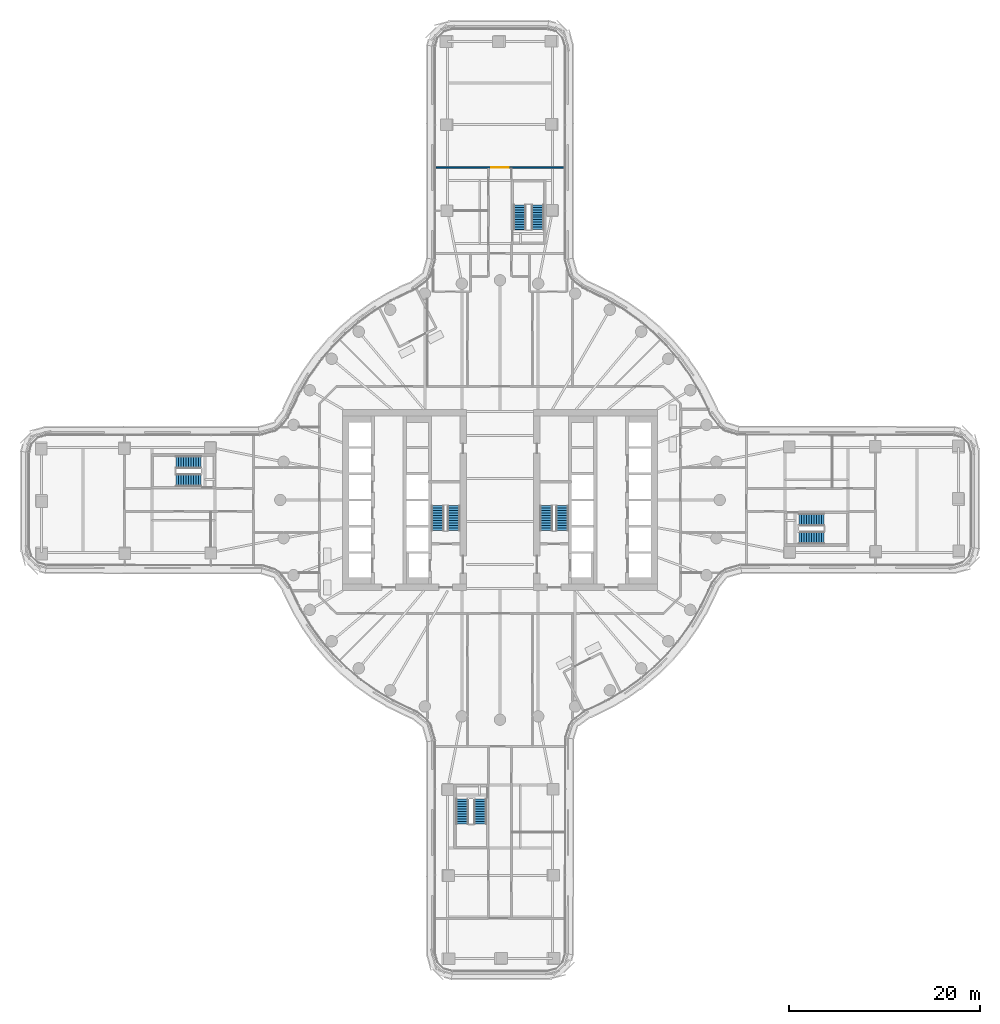
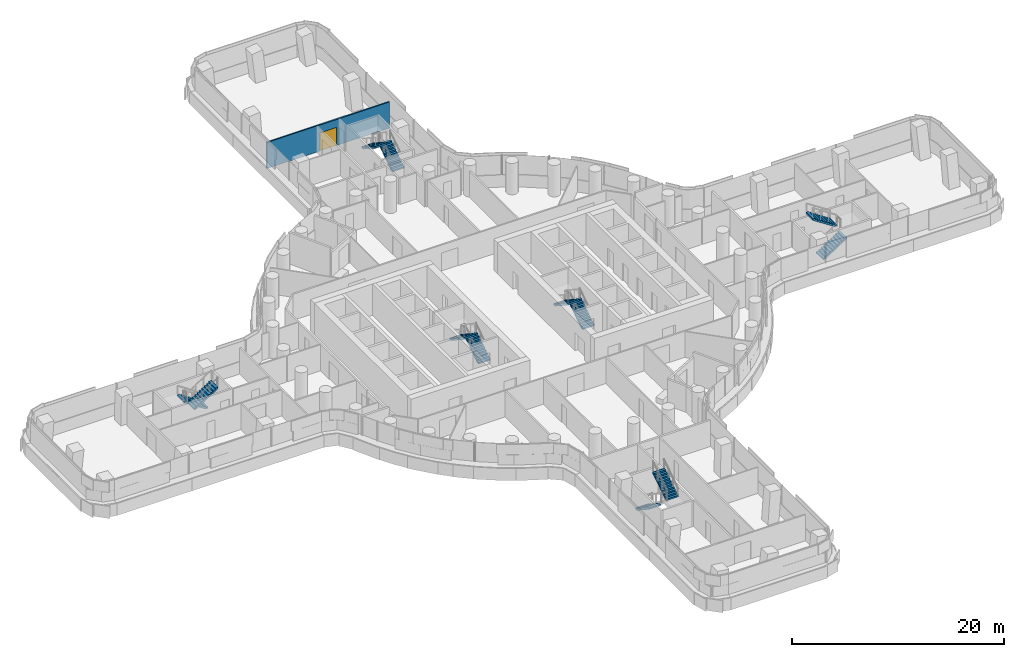
# One storey, part 24 of 32: 12 stair flights, 1 door, 1 wall, 1 opening, 6 elements without a shape of their own.
"""IFC4 building model written with IfcOpenShell, lengths in metres."""

from ifc_helpers import new_model, si_unit, direction, frame, frame_2d, origin, place, context, subcontext, project, spatial, polyline, rectangle, outline, extrude, material, layer, layer_set, type_object, element, fill, aggregate, save


model = new_model("IFC4")

# Units and contexts
model_context = context("Model", 3, precision=1e-05, world=origin(), true_north=direction((0.0, 1.0)))
body_context = subcontext(model_context, "Body", "Model", "MODEL_VIEW")
ifc_project = project(units=[si_unit("LENGTHUNIT", "METRE"), si_unit("AREAUNIT", "SQUARE_METRE"), si_unit("VOLUMEUNIT", "CUBIC_METRE"), si_unit("PLANEANGLEUNIT", "RADIAN"), si_unit("MASSUNIT", "GRAM", prefix="KILO")], contexts=[model_context])

# Site, building, storey
site_placement = place(None, origin())
site = spatial("IfcSite", under=ifc_project, at=site_placement, CompositionType="ELEMENT")
building_placement = place(site_placement, origin())
building = spatial("IfcBuilding", under=site, at=building_placement, Name="Tamarind Cross Interchange Tower", CompositionType="ELEMENT")
storey_placement = place(building_placement, frame((0.0, 0.0, 34.0)))
storey = spatial("IfcBuildingStorey", under=building, at=storey_placement, Name="L06", CompositionType="ELEMENT", Elevation=34.0)

# Wall, opening, door
ifc_material_1 = material(Name="Gypsum board partition on steel studs", Category="steel")
ifc_layer = layer(ifc_material_1, 0.14990234375)
ifc_layer_set = layer_set([ifc_layer], Name="Gypsum board partition on steel studs")
wall_type = type_object("IfcWallType", Name="Partition 150 mm EI 120", PredefinedType="PARTITIONING", material=ifc_layer_set)
wall_placement = place(storey_placement, frame((-6.698974609375, 34.800048828125, 0.0), z_axis=(0.0, 0.0, 1.0), x_axis=(1.0, 0.0, 0.0)))
wall = element("IfcWall", 1, at=wall_placement, inside=storey, type_object=wall_type, Name="Partition L06-036", PredefinedType="PARTITIONING", context=body_context, shape_type="SweptSolid", body=[
    extrude(rectangle(XDim=13.39794921875, YDim=0.14990234375, at=frame_2d((6.698974609375, 0.0))), origin(), (0.0, 0.0, 1.0), 3.010009765625),
])
opening_placement = place(wall_placement, frame((5.799072265625, 0.0, 0.0)))
opening = element("IfcOpeningElement", 2, at=opening_placement, cuts=wall, Name="Opening D18", PredefinedType="OPENING", context=body_context, shape_type="SweptSolid", body=[
    extrude(rectangle(XDim=1.800048828125, YDim=2.10009765625, at=frame_2d((0.89990234375, 1.050048828125))), frame((0.0, 0.0849609375, 0.0), z_axis=(0.0, -1.0, 0.0), x_axis=(1.0, 0.0, 0.0)), (0.0, 0.0, 1.0), 0.169921875),
])
ifc_material_2 = material(Name="Fire-resisting door set")
door_type = type_object("IfcDoorType", Name="Interior door 1800 x 2100 FD60S", OperationType="DOUBLE_DOOR_SINGLE_SWING", PredefinedType="DOOR", material=ifc_material_2)
door_placement = place(opening_placement, origin())
door = element("IfcDoor", 3, at=door_placement, inside=storey, type_object=door_type, Name="Door D18", OperationType="DOUBLE_DOOR_SINGLE_SWING", OverallHeight=2.10009765625, OverallWidth=1.800048828125, PredefinedType="DOOR", context=body_context, shape_type="SweptSolid", body=[
    extrude(rectangle(XDim=1.800048828125, YDim=2.10009765625, at=frame_2d((0.89990234375, 1.050048828125))), frame((0.0, 0.02490234375, 0.0), z_axis=(0.0, -1.0, 0.0), x_axis=(1.0, 0.0, 0.0)), (0.0, 0.0, 1.0), 0.050048828125),
])
fill(opening, door)

# Stair, stair flights
ifc_material_3 = material(Name="Exit stair")
stair_type = type_object("IfcStairType", Name="Exit stair", PredefinedType="HALF_TURN_STAIR", material=ifc_material_3)
stair_1_placement = place(storey_placement, origin())
stair_1 = element("IfcStair", 4, at=stair_1_placement, inside=storey, type_object=stair_type, Name="L06 exit stair ST1", PredefinedType="HALF_TURN_STAIR")
ifc_material_4 = material(Name="Exit stair flight")
stair_flight_type = type_object("IfcStairFlightType", Name="Exit stair flight", PredefinedType="STRAIGHT", material=ifc_material_4)
stair_flight_1_placement = place(storey_placement, frame((-4.85009765625, -3.199951171875, 0.0), z_axis=(0.0, 0.0, 1.0), x_axis=(0.0, 1.0, 0.0)))
stair_flight_1 = element("IfcStairFlight", 5, at=stair_flight_1_placement, type_object=stair_flight_type, Name="ST1 flight 1", NumberOfRisers=11, NumberOfTreads=10, PredefinedType="STRAIGHT", RiserHeight=0.170454545, TreadLength=0.26, context=body_context, shape_type="SweptSolid", body=[
    extrude(outline(polyline([(0.0, 0.0), (0.0, 0.17041015625), (0.260009765625, 0.17041015625), (0.260009765625, 0.3408203125), (0.52001953125, 0.3408203125), (0.52001953125, 0.511474609375), (0.780029296875, 0.511474609375), (0.780029296875, 0.681884765625), (1.0400390625, 0.681884765625), (1.0400390625, 0.852294921875), (1.300048828125, 0.852294921875), (1.300048828125, 1.022705078125), (1.56005859375, 1.022705078125), (1.56005859375, 1.193115234375), (1.820068359375, 1.193115234375), (1.820068359375, 1.363525390625), (2.080078125, 1.363525390625), (2.080078125, 1.5341796875), (2.340087890625, 1.5341796875), (2.340087890625, 1.70458984375), (2.60009765625, 1.70458984375), (2.60009765625, 1.875), (2.60009765625, 1.525390625), (0.2734375, 0.0), (0.0, 0.0)])), frame((0.0, 0.64990234375, 0.0), z_axis=(0.0, -1.0, 0.0), x_axis=(1.0, 0.0, 0.0)), (0.0, 0.0, 1.0), 1.300048828125),
])
stair_flight_2_placement = place(storey_placement, frame((-6.5, -0.60009765625, 1.875), z_axis=(0.0, 0.0, 1.0), x_axis=(0.0, -1.0, 0.0)))
stair_flight_2 = element("IfcStairFlight", 6, at=stair_flight_2_placement, type_object=stair_flight_type, Name="ST1 flight 2", NumberOfRisers=11, NumberOfTreads=10, PredefinedType="STRAIGHT", RiserHeight=0.170454545, TreadLength=0.26, context=body_context, shape_type="SweptSolid", body=[
    extrude(outline(polyline([(0.0, 0.0), (0.0, 0.17041015625), (0.260009765625, 0.17041015625), (0.260009765625, 0.3408203125), (0.52001953125, 0.3408203125), (0.52001953125, 0.511474609375), (0.780029296875, 0.511474609375), (0.780029296875, 0.681884765625), (1.0400390625, 0.681884765625), (1.0400390625, 0.852294921875), (1.300048828125, 0.852294921875), (1.300048828125, 1.022705078125), (1.56005859375, 1.022705078125), (1.56005859375, 1.193115234375), (1.820068359375, 1.193115234375), (1.820068359375, 1.363525390625), (2.080078125, 1.363525390625), (2.080078125, 1.5341796875), (2.340087890625, 1.5341796875), (2.340087890625, 1.70458984375), (2.60009765625, 1.70458984375), (2.60009765625, 1.7548828125), (2.612060546875, 1.7548828125), (2.612060546875, 1.533203125), (0.2734375, 0.0), (0.0, 0.0)])), frame((0.0, 0.64990234375, 0.0), z_axis=(0.0, -1.0, 0.0), x_axis=(1.0, 0.0, 0.0)), (0.0, 0.0, 1.0), 1.300048828125),
])
aggregate(stair_1, [stair_flight_1, stair_flight_2])

stair_2_placement = place(storey_placement, origin())
stair_2 = element("IfcStair", 7, at=stair_2_placement, inside=storey, type_object=stair_type, Name="L06 exit stair ST2", PredefinedType="HALF_TURN_STAIR")
stair_flight_3_placement = place(storey_placement, frame((6.5, -3.199951171875, 0.0), z_axis=(0.0, 0.0, 1.0), x_axis=(0.0, 1.0, 0.0)))
stair_flight_3 = element("IfcStairFlight", 8, at=stair_flight_3_placement, type_object=stair_flight_type, Name="ST2 flight 1", NumberOfRisers=11, NumberOfTreads=10, PredefinedType="STRAIGHT", RiserHeight=0.170454545, TreadLength=0.26, context=body_context, shape_type="SweptSolid", body=[
    extrude(outline(polyline([(0.0, 0.0), (0.0, 0.17041015625), (0.260009765625, 0.17041015625), (0.260009765625, 0.3408203125), (0.52001953125, 0.3408203125), (0.52001953125, 0.511474609375), (0.780029296875, 0.511474609375), (0.780029296875, 0.681884765625), (1.0400390625, 0.681884765625), (1.0400390625, 0.852294921875), (1.300048828125, 0.852294921875), (1.300048828125, 1.022705078125), (1.56005859375, 1.022705078125), (1.56005859375, 1.193115234375), (1.820068359375, 1.193115234375), (1.820068359375, 1.363525390625), (2.080078125, 1.363525390625), (2.080078125, 1.5341796875), (2.340087890625, 1.5341796875), (2.340087890625, 1.70458984375), (2.60009765625, 1.70458984375), (2.60009765625, 1.875), (2.60009765625, 1.525390625), (0.2734375, 0.0), (0.0, 0.0)])), frame((0.0, 0.64990234375, 0.0), z_axis=(0.0, -1.0, 0.0), x_axis=(1.0, 0.0, 0.0)), (0.0, 0.0, 1.0), 1.300048828125),
])
stair_flight_4_placement = place(storey_placement, frame((4.85009765625, -0.60009765625, 1.875), z_axis=(0.0, 0.0, 1.0), x_axis=(0.0, -1.0, 0.0)))
stair_flight_4 = element("IfcStairFlight", 9, at=stair_flight_4_placement, type_object=stair_flight_type, Name="ST2 flight 2", NumberOfRisers=11, NumberOfTreads=10, PredefinedType="STRAIGHT", RiserHeight=0.170454545, TreadLength=0.26, context=body_context, shape_type="SweptSolid", body=[
    extrude(outline(polyline([(0.0, 0.0), (0.0, 0.17041015625), (0.260009765625, 0.17041015625), (0.260009765625, 0.3408203125), (0.52001953125, 0.3408203125), (0.52001953125, 0.511474609375), (0.780029296875, 0.511474609375), (0.780029296875, 0.681884765625), (1.0400390625, 0.681884765625), (1.0400390625, 0.852294921875), (1.300048828125, 0.852294921875), (1.300048828125, 1.022705078125), (1.56005859375, 1.022705078125), (1.56005859375, 1.193115234375), (1.820068359375, 1.193115234375), (1.820068359375, 1.363525390625), (2.080078125, 1.363525390625), (2.080078125, 1.5341796875), (2.340087890625, 1.5341796875), (2.340087890625, 1.70458984375), (2.60009765625, 1.70458984375), (2.60009765625, 1.7548828125), (2.612060546875, 1.7548828125), (2.612060546875, 1.533203125), (0.2734375, 0.0), (0.0, 0.0)])), frame((0.0, 0.64990234375, 0.0), z_axis=(0.0, -1.0, 0.0), x_axis=(1.0, 0.0, 0.0)), (0.0, 0.0, 1.0), 1.300048828125),
])
aggregate(stair_2, [stair_flight_3, stair_flight_4])

stair_3_placement = place(storey_placement, origin())
stair_3 = element("IfcStair", 10, at=stair_3_placement, inside=storey, type_object=stair_type, Name="L06 exit stair ST3", PredefinedType="HALF_TURN_STAIR")
stair_flight_5_placement = place(storey_placement, frame((31.300048828125, -3.949951171875, 0.0), z_axis=(0.0, 0.0, 1.0), x_axis=(1.0, 0.0, 0.0)))
stair_flight_5 = element("IfcStairFlight", 11, at=stair_flight_5_placement, type_object=stair_flight_type, Name="ST3 flight 1", NumberOfRisers=11, NumberOfTreads=10, PredefinedType="STRAIGHT", RiserHeight=0.170454545, TreadLength=0.26, context=body_context, shape_type="SweptSolid", body=[
    extrude(outline(polyline([(0.0, 0.0), (0.0, 0.17041015625), (0.260009765625, 0.17041015625), (0.260009765625, 0.3408203125), (0.52001953125, 0.3408203125), (0.52001953125, 0.511474609375), (0.780029296875, 0.511474609375), (0.780029296875, 0.681884765625), (1.0400390625, 0.681884765625), (1.0400390625, 0.852294921875), (1.300048828125, 0.852294921875), (1.300048828125, 1.022705078125), (1.56005859375, 1.022705078125), (1.56005859375, 1.193115234375), (1.820068359375, 1.193115234375), (1.820068359375, 1.363525390625), (2.080078125, 1.363525390625), (2.080078125, 1.5341796875), (2.340087890625, 1.5341796875), (2.340087890625, 1.70458984375), (2.60009765625, 1.70458984375), (2.60009765625, 1.875), (2.60009765625, 1.525390625), (0.2734375, 0.0), (0.0, 0.0)])), frame((0.0, 0.64990234375, 0.0), z_axis=(0.0, -1.0, 0.0), x_axis=(1.0, 0.0, 0.0)), (0.0, 0.0, 1.0), 1.300048828125),
])
stair_flight_6_placement = place(storey_placement, frame((33.89990234375, -2.050048828125, 1.875), z_axis=(0.0, 0.0, 1.0), x_axis=(-1.0, 0.0, 0.0)))
stair_flight_6 = element("IfcStairFlight", 12, at=stair_flight_6_placement, type_object=stair_flight_type, Name="ST3 flight 2", NumberOfRisers=11, NumberOfTreads=10, PredefinedType="STRAIGHT", RiserHeight=0.170454545, TreadLength=0.26, context=body_context, shape_type="SweptSolid", body=[
    extrude(outline(polyline([(0.0, 0.0), (0.0, 0.17041015625), (0.260009765625, 0.17041015625), (0.260009765625, 0.3408203125), (0.52001953125, 0.3408203125), (0.52001953125, 0.511474609375), (0.780029296875, 0.511474609375), (0.780029296875, 0.681884765625), (1.0400390625, 0.681884765625), (1.0400390625, 0.852294921875), (1.300048828125, 0.852294921875), (1.300048828125, 1.022705078125), (1.56005859375, 1.022705078125), (1.56005859375, 1.193115234375), (1.820068359375, 1.193115234375), (1.820068359375, 1.363525390625), (2.080078125, 1.363525390625), (2.080078125, 1.5341796875), (2.340087890625, 1.5341796875), (2.340087890625, 1.70458984375), (2.60009765625, 1.70458984375), (2.60009765625, 1.7548828125), (2.612060546875, 1.7548828125), (2.612060546875, 1.533203125), (0.2734375, 0.0), (0.0, 0.0)])), frame((0.0, 0.64990234375, 0.0), z_axis=(0.0, -1.0, 0.0), x_axis=(1.0, 0.0, 0.0)), (0.0, 0.0, 1.0), 1.300048828125),
])
aggregate(stair_3, [stair_flight_5, stair_flight_6])

stair_4_placement = place(storey_placement, origin())
stair_4 = element("IfcStair", 13, at=stair_4_placement, inside=storey, type_object=stair_type, Name="L06 exit stair ST4", PredefinedType="HALF_TURN_STAIR")
stair_flight_7_placement = place(storey_placement, frame((3.949951171875, 28.300048828125, 0.0), z_axis=(0.0, 0.0, 1.0), x_axis=(0.0, 1.0, 0.0)))
stair_flight_7 = element("IfcStairFlight", 14, at=stair_flight_7_placement, type_object=stair_flight_type, Name="ST4 flight 1", NumberOfRisers=11, NumberOfTreads=10, PredefinedType="STRAIGHT", RiserHeight=0.170454545, TreadLength=0.26, context=body_context, shape_type="SweptSolid", body=[
    extrude(outline(polyline([(0.0, 0.0), (0.0, 0.17041015625), (0.260009765625, 0.17041015625), (0.260009765625, 0.3408203125), (0.52001953125, 0.3408203125), (0.52001953125, 0.511474609375), (0.780029296875, 0.511474609375), (0.780029296875, 0.681884765625), (1.0400390625, 0.681884765625), (1.0400390625, 0.852294921875), (1.300048828125, 0.852294921875), (1.300048828125, 1.022705078125), (1.56005859375, 1.022705078125), (1.56005859375, 1.193115234375), (1.820068359375, 1.193115234375), (1.820068359375, 1.363525390625), (2.080078125, 1.363525390625), (2.080078125, 1.5341796875), (2.340087890625, 1.5341796875), (2.340087890625, 1.70458984375), (2.60009765625, 1.70458984375), (2.60009765625, 1.875), (2.60009765625, 1.525390625), (0.2734375, 0.0), (0.0, 0.0)])), frame((0.0, 0.64990234375, 0.0), z_axis=(0.0, -1.0, 0.0), x_axis=(1.0, 0.0, 0.0)), (0.0, 0.0, 1.0), 1.300048828125),
])
stair_flight_8_placement = place(storey_placement, frame((2.050048828125, 30.89990234375, 1.875), z_axis=(0.0, 0.0, 1.0), x_axis=(0.0, -1.0, 0.0)))
stair_flight_8 = element("IfcStairFlight", 15, at=stair_flight_8_placement, type_object=stair_flight_type, Name="ST4 flight 2", NumberOfRisers=11, NumberOfTreads=10, PredefinedType="STRAIGHT", RiserHeight=0.170454545, TreadLength=0.26, context=body_context, shape_type="SweptSolid", body=[
    extrude(outline(polyline([(0.0, 0.0), (0.0, 0.17041015625), (0.260009765625, 0.17041015625), (0.260009765625, 0.3408203125), (0.52001953125, 0.3408203125), (0.52001953125, 0.511474609375), (0.780029296875, 0.511474609375), (0.780029296875, 0.681884765625), (1.0400390625, 0.681884765625), (1.0400390625, 0.852294921875), (1.300048828125, 0.852294921875), (1.300048828125, 1.022705078125), (1.56005859375, 1.022705078125), (1.56005859375, 1.193115234375), (1.820068359375, 1.193115234375), (1.820068359375, 1.363525390625), (2.080078125, 1.363525390625), (2.080078125, 1.5341796875), (2.340087890625, 1.5341796875), (2.340087890625, 1.70458984375), (2.60009765625, 1.70458984375), (2.60009765625, 1.7548828125), (2.612060546875, 1.7548828125), (2.612060546875, 1.533203125), (0.2734375, 0.0), (0.0, 0.0)])), frame((0.0, 0.64990234375, 0.0), z_axis=(0.0, -1.0, 0.0), x_axis=(1.0, 0.0, 0.0)), (0.0, 0.0, 1.0), 1.300048828125),
])
aggregate(stair_4, [stair_flight_7, stair_flight_8])

stair_5_placement = place(storey_placement, origin())
stair_5 = element("IfcStair", 16, at=stair_5_placement, inside=storey, type_object=stair_type, Name="L06 exit stair ST5", PredefinedType="HALF_TURN_STAIR")
stair_flight_9_placement = place(storey_placement, frame((-31.300048828125, 3.949951171875, 0.0), z_axis=(0.0, 0.0, 1.0), x_axis=(-1.0, 0.0, 0.0)))
stair_flight_9 = element("IfcStairFlight", 17, at=stair_flight_9_placement, type_object=stair_flight_type, Name="ST5 flight 1", NumberOfRisers=11, NumberOfTreads=10, PredefinedType="STRAIGHT", RiserHeight=0.170454545, TreadLength=0.26, context=body_context, shape_type="SweptSolid", body=[
    extrude(outline(polyline([(0.0, 0.0), (0.0, 0.17041015625), (0.260009765625, 0.17041015625), (0.260009765625, 0.3408203125), (0.52001953125, 0.3408203125), (0.52001953125, 0.511474609375), (0.780029296875, 0.511474609375), (0.780029296875, 0.681884765625), (1.0400390625, 0.681884765625), (1.0400390625, 0.852294921875), (1.300048828125, 0.852294921875), (1.300048828125, 1.022705078125), (1.56005859375, 1.022705078125), (1.56005859375, 1.193115234375), (1.820068359375, 1.193115234375), (1.820068359375, 1.363525390625), (2.080078125, 1.363525390625), (2.080078125, 1.5341796875), (2.340087890625, 1.5341796875), (2.340087890625, 1.70458984375), (2.60009765625, 1.70458984375), (2.60009765625, 1.875), (2.60009765625, 1.525390625), (0.2734375, 0.0), (0.0, 0.0)])), frame((0.0, 0.64990234375, 0.0), z_axis=(0.0, -1.0, 0.0), x_axis=(1.0, 0.0, 0.0)), (0.0, 0.0, 1.0), 1.300048828125),
])
stair_flight_10_placement = place(storey_placement, frame((-33.89990234375, 2.050048828125, 1.875), z_axis=(0.0, 0.0, 1.0), x_axis=(1.0, 0.0, 0.0)))
stair_flight_10 = element("IfcStairFlight", 18, at=stair_flight_10_placement, type_object=stair_flight_type, Name="ST5 flight 2", NumberOfRisers=11, NumberOfTreads=10, PredefinedType="STRAIGHT", RiserHeight=0.170454545, TreadLength=0.26, context=body_context, shape_type="SweptSolid", body=[
    extrude(outline(polyline([(0.0, 0.0), (0.0, 0.17041015625), (0.260009765625, 0.17041015625), (0.260009765625, 0.3408203125), (0.52001953125, 0.3408203125), (0.52001953125, 0.511474609375), (0.780029296875, 0.511474609375), (0.780029296875, 0.681884765625), (1.0400390625, 0.681884765625), (1.0400390625, 0.852294921875), (1.300048828125, 0.852294921875), (1.300048828125, 1.022705078125), (1.56005859375, 1.022705078125), (1.56005859375, 1.193115234375), (1.820068359375, 1.193115234375), (1.820068359375, 1.363525390625), (2.080078125, 1.363525390625), (2.080078125, 1.5341796875), (2.340087890625, 1.5341796875), (2.340087890625, 1.70458984375), (2.60009765625, 1.70458984375), (2.60009765625, 1.7548828125), (2.612060546875, 1.7548828125), (2.612060546875, 1.533203125), (0.2734375, 0.0), (0.0, 0.0)])), frame((0.0, 0.64990234375, 0.0), z_axis=(0.0, -1.0, 0.0), x_axis=(1.0, 0.0, 0.0)), (0.0, 0.0, 1.0), 1.300048828125),
])
aggregate(stair_5, [stair_flight_9, stair_flight_10])

stair_6_placement = place(storey_placement, origin())
stair_6 = element("IfcStair", 19, at=stair_6_placement, inside=storey, type_object=stair_type, Name="L06 exit stair ST6", PredefinedType="HALF_TURN_STAIR")
stair_flight_11_placement = place(storey_placement, frame((-3.949951171875, -31.300048828125, 0.0), z_axis=(0.0, 0.0, 1.0), x_axis=(0.0, -1.0, 0.0)))
stair_flight_11 = element("IfcStairFlight", 20, at=stair_flight_11_placement, type_object=stair_flight_type, Name="ST6 flight 1", NumberOfRisers=11, NumberOfTreads=10, PredefinedType="STRAIGHT", RiserHeight=0.170454545, TreadLength=0.26, context=body_context, shape_type="SweptSolid", body=[
    extrude(outline(polyline([(0.0, 0.0), (0.0, 0.17041015625), (0.260009765625, 0.17041015625), (0.260009765625, 0.3408203125), (0.52001953125, 0.3408203125), (0.52001953125, 0.511474609375), (0.780029296875, 0.511474609375), (0.780029296875, 0.681884765625), (1.0400390625, 0.681884765625), (1.0400390625, 0.852294921875), (1.300048828125, 0.852294921875), (1.300048828125, 1.022705078125), (1.56005859375, 1.022705078125), (1.56005859375, 1.193115234375), (1.820068359375, 1.193115234375), (1.820068359375, 1.363525390625), (2.080078125, 1.363525390625), (2.080078125, 1.5341796875), (2.340087890625, 1.5341796875), (2.340087890625, 1.70458984375), (2.60009765625, 1.70458984375), (2.60009765625, 1.875), (2.60009765625, 1.525390625), (0.2734375, 0.0), (0.0, 0.0)])), frame((0.0, 0.64990234375, 0.0), z_axis=(0.0, -1.0, 0.0), x_axis=(1.0, 0.0, 0.0)), (0.0, 0.0, 1.0), 1.300048828125),
])
stair_flight_12_placement = place(storey_placement, frame((-2.050048828125, -33.89990234375, 1.875), z_axis=(0.0, 0.0, 1.0), x_axis=(0.0, 1.0, 0.0)))
stair_flight_12 = element("IfcStairFlight", 21, at=stair_flight_12_placement, type_object=stair_flight_type, Name="ST6 flight 2", NumberOfRisers=11, NumberOfTreads=10, PredefinedType="STRAIGHT", RiserHeight=0.170454545, TreadLength=0.26, context=body_context, shape_type="SweptSolid", body=[
    extrude(outline(polyline([(0.0, 0.0), (0.0, 0.17041015625), (0.260009765625, 0.17041015625), (0.260009765625, 0.3408203125), (0.52001953125, 0.3408203125), (0.52001953125, 0.511474609375), (0.780029296875, 0.511474609375), (0.780029296875, 0.681884765625), (1.0400390625, 0.681884765625), (1.0400390625, 0.852294921875), (1.300048828125, 0.852294921875), (1.300048828125, 1.022705078125), (1.56005859375, 1.022705078125), (1.56005859375, 1.193115234375), (1.820068359375, 1.193115234375), (1.820068359375, 1.363525390625), (2.080078125, 1.363525390625), (2.080078125, 1.5341796875), (2.340087890625, 1.5341796875), (2.340087890625, 1.70458984375), (2.60009765625, 1.70458984375), (2.60009765625, 1.7548828125), (2.612060546875, 1.7548828125), (2.612060546875, 1.533203125), (0.2734375, 0.0), (0.0, 0.0)])), frame((0.0, 0.64990234375, 0.0), z_axis=(0.0, -1.0, 0.0), x_axis=(1.0, 0.0, 0.0)), (0.0, 0.0, 1.0), 1.300048828125),
])
aggregate(stair_6, [stair_flight_11, stair_flight_12])

save(model, "model.ifc")
